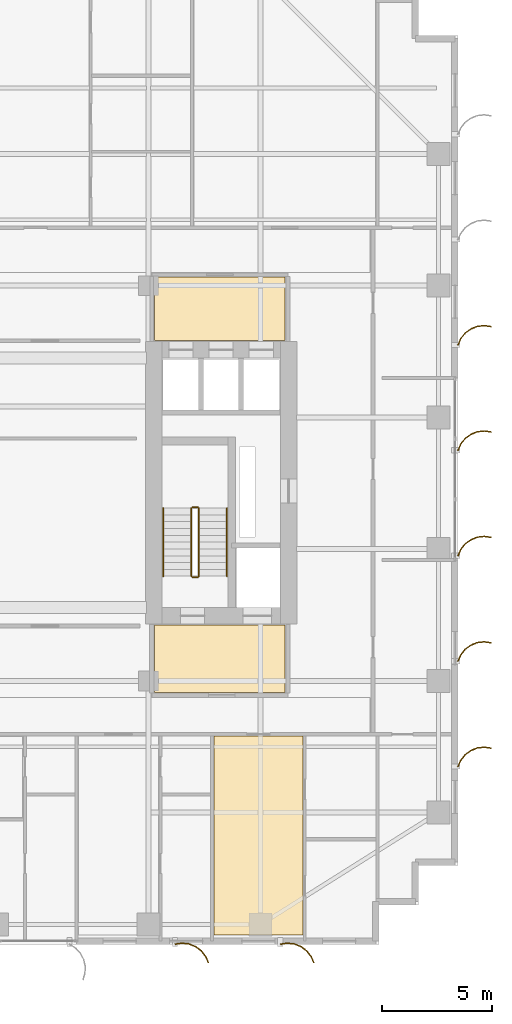
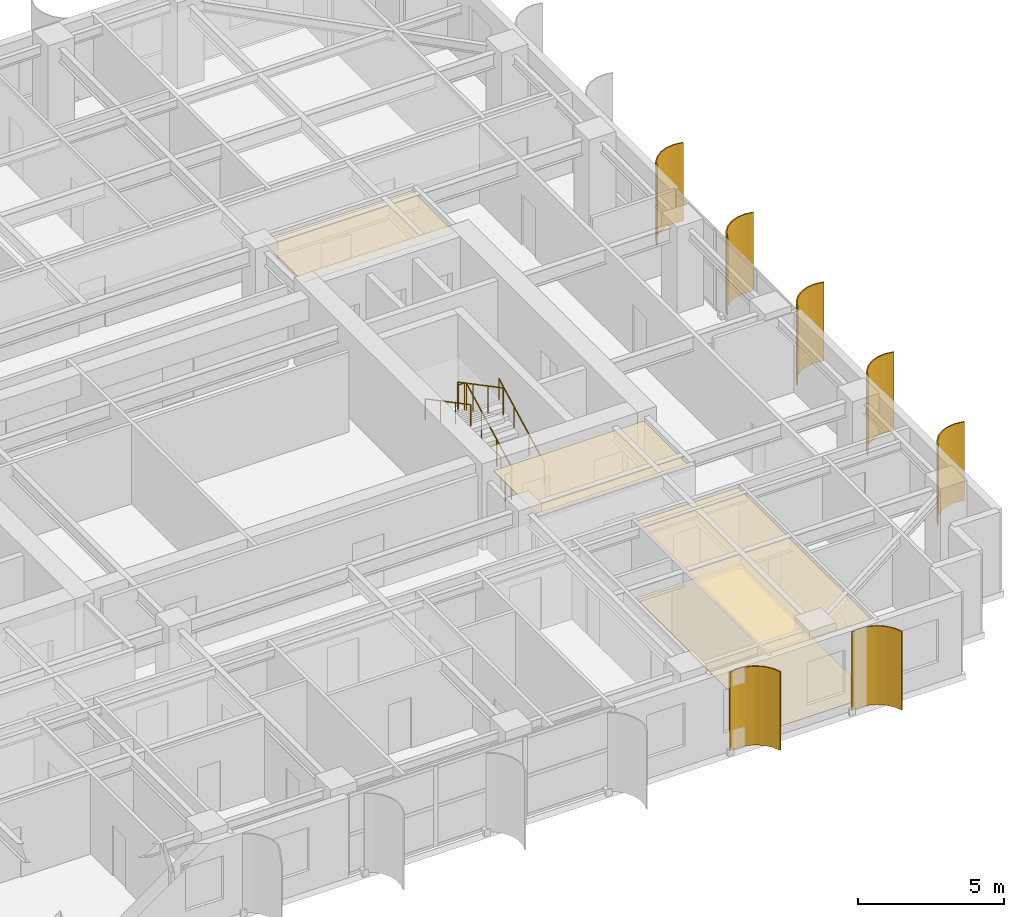
# One storey, part 21 of 22: 7 shading devices, 6 railings, 4 coverings.
"""IFC4 building model written with IfcOpenShell, lengths in metres."""

import ifcopenshell
import ifcopenshell.guid

model = None  # the IFC model being written
_history = None  # IfcOwnerHistory: only IFC2X3 demands one
_inside = {}  # id of a spatial element -> (the spatial element, [elements in it])
_under = {}  # id of a project, library or spatial element -> (it, [spatial elements below it])
_declared = {}  # id of a project -> (the project, [libraries it declares])
_typed = {}  # id of a type object -> (the type object, [elements of that type])
_made_of = {}  # id of a material, layer set ... -> (it, [elements and type objects made of it])


def new_model(schema):
    """Start an empty IFC model of exactly this schema.

    Asked for "IFC4X3", IfcOpenShell would pick the latest addendum, in which some entities
    have other attributes; the version numbers below select the first issue.
    IFC2X3 requires an IfcOwnerHistory on every rooted entity: one is made here for all.
    """
    global model, _history
    if schema == "IFC4X3":
        model = ifcopenshell.file(schema_version=(4, 3, 0, 0))
    else:
        model = ifcopenshell.file(schema=schema)
    _inside.clear()
    _under.clear()
    _declared.clear()
    _typed.clear()
    _made_of.clear()
    _history = None
    if model.schema == "IFC2X3":
        org = make("IfcOrganization", Name="unknown")
        user = make(
            "IfcPersonAndOrganization",
            ThePerson=make("IfcPerson", FamilyName="unknown"),
            TheOrganization=org,
        )
        app = make(
            "IfcApplication",
            ApplicationDeveloper=org,
            Version="unknown",
            ApplicationFullName="unknown",
            ApplicationIdentifier="unknown",
        )
        _history = make(
            "IfcOwnerHistory",
            OwningUser=user,
            OwningApplication=app,
            ChangeAction="ADDED",
            CreationDate=0,
        )
    return model


def make(cls, **values):
    """One entity of the class cls with the attributes given. An attribute that is None is left unset."""
    return model.create_entity(
        cls, **{name: value for name, value in values.items() if value is not None}
    )


def rooted(cls, **values):
    """An entity with a GlobalId (a new one), such as an element, a storey or a relation."""
    return make(cls, GlobalId=ifcopenshell.guid.new(), OwnerHistory=_history, **values)


def si_unit(unit_type, name, prefix=None):
    """IfcSIUnit, for example si_unit("LENGTHUNIT", "METRE", prefix="MILLI")."""
    return make("IfcSIUnit", UnitType=unit_type, Prefix=prefix, Name=name)


def assignment(units):
    """IfcUnitAssignment: the units of a project."""
    return None if units is None else make("IfcUnitAssignment", Units=units)


def point(xyz):
    """IfcCartesianPoint."""
    return None if xyz is None else make("IfcCartesianPoint", Coordinates=xyz)


def direction(xyz):
    """IfcDirection."""
    return None if xyz is None else make("IfcDirection", DirectionRatios=xyz)


def frame(location, z_axis=None, x_axis=None):
    """IfcAxis2Placement3D, a coordinate frame: its origin and axes. An axis left out is left unset."""
    return make(
        "IfcAxis2Placement3D",
        Location=point(location),
        Axis=direction(z_axis),
        RefDirection=direction(x_axis),
    )


def frame_2d(location, x_axis=None):
    """IfcAxis2Placement2D, a coordinate frame in the plane: its origin and x axis."""
    return make(
        "IfcAxis2Placement2D", Location=point(location), RefDirection=direction(x_axis)
    )


def origin():
    """The frame at (0, 0, 0) with its axes left unset."""
    return frame((0.0, 0.0, 0.0))


def origin_2d():
    """The frame at (0, 0) in the plane with its x axis left unset."""
    return frame_2d((0.0, 0.0))


def place(relative_to, where):
    """IfcLocalPlacement: puts the frame where relative to a parent placement (None: the world)."""
    return make(
        "IfcLocalPlacement", PlacementRelTo=relative_to, RelativePlacement=where
    )


def context(
    kind, dimensions, precision=None, world=None, true_north=None, identifier=None
):
    """IfcGeometricRepresentationContext, for example the 3D "Model" context."""
    return make(
        "IfcGeometricRepresentationContext",
        ContextIdentifier=identifier,
        ContextType=kind,
        CoordinateSpaceDimension=dimensions,
        Precision=precision,
        WorldCoordinateSystem=world,
        TrueNorth=true_north,
    )


def subcontext(parent, identifier, kind, view, scale=None):
    """IfcGeometricRepresentationSubContext, for example "Body" below "Model"."""
    return make(
        "IfcGeometricRepresentationSubContext",
        ContextIdentifier=identifier,
        ContextType=kind,
        ParentContext=parent,
        TargetScale=scale,
        TargetView=view,
    )


def project(units=None, contexts=None):
    """IfcProject with its units and contexts."""
    return rooted(
        "IfcProject",
        Name="project",
        RepresentationContexts=contexts,
        UnitsInContext=assignment(units),
    )


def spatial(cls, under=None, at=None, **own):
    """A site, building, storey or space (cls), placed at a placement, below another one or the project."""
    s = rooted(cls, ObjectPlacement=at, **own)
    if under is not None:
        _under.setdefault(under.id(), (under, []))[1].append(s)
    return s


def polyline(points):
    """IfcPolyline through the points."""
    return make("IfcPolyline", Points=[point(p) for p in points])


def profile(cls, at=None, kind="AREA", **sizes):
    """A parametric profile (cls). Its sizes go by their IFC names, for example OverallWidth=200.0."""
    return make(cls, ProfileType=kind, Position=at, **sizes)


def circle(**sizes):
    """IfcCircleProfileDef."""
    return profile("IfcCircleProfileDef", **sizes)


def outline(outer, holes=None, kind="AREA"):
    """IfcArbitraryClosedProfileDef: a profile drawn as a closed curve; with holes, ...WithVoids."""
    if holes is None:
        return make("IfcArbitraryClosedProfileDef", ProfileType=kind, OuterCurve=outer)
    return make(
        "IfcArbitraryProfileDefWithVoids",
        ProfileType=kind,
        OuterCurve=outer,
        InnerCurves=holes,
    )


def extrude(swept, where, along, depth):
    """IfcExtrudedAreaSolid: the profile swept, set in the frame where, extruded along a direction by depth."""
    return make(
        "IfcExtrudedAreaSolid",
        SweptArea=swept,
        Position=where,
        ExtrudedDirection=direction(along),
        Depth=depth,
    )


def shape(context_of_items, identifier, shape_type, items):
    """IfcShapeRepresentation: the items that make up one representation, for example the "Body"."""
    return make(
        "IfcShapeRepresentation",
        ContextOfItems=context_of_items,
        RepresentationIdentifier=identifier,
        RepresentationType=shape_type,
        Items=items,
    )


def source(mapping_origin, context_of_items, identifier, shape_type, items):
    """IfcRepresentationMap: a shape defined once, which mapped items show again and again."""
    return make(
        "IfcRepresentationMap",
        MappingOrigin=mapping_origin,
        MappedRepresentation=shape(context_of_items, identifier, shape_type, items),
    )


def transform(
    local_origin,
    x_axis=None,
    y_axis=None,
    z_axis=None,
    scale=None,
    scale2=None,
    scale3=None,
    uniform=True,
):
    """IfcCartesianTransformationOperator3D, or its non-uniform kind. x_axis, y_axis, z_axis: its Axis1, 2, 3."""
    if uniform:
        return make(
            "IfcCartesianTransformationOperator3D",
            Axis1=direction(x_axis),
            Axis2=direction(y_axis),
            LocalOrigin=point(local_origin),
            Scale=scale,
            Axis3=direction(z_axis),
        )
    return make(
        "IfcCartesianTransformationOperator3DnonUniform",
        Axis1=direction(x_axis),
        Axis2=direction(y_axis),
        LocalOrigin=point(local_origin),
        Scale=scale,
        Axis3=direction(z_axis),
        Scale2=scale2,
        Scale3=scale3,
    )


def mapped(mapping_source, mapping_target):
    """IfcMappedItem: shows the shape of a source again, moved by a transform."""
    return make(
        "IfcMappedItem", MappingSource=mapping_source, MappingTarget=mapping_target
    )


def material(Name=None, Category=None):
    """IfcMaterial."""
    return make("IfcMaterial", Name=Name, Category=Category)


def layer(
    of_material, thickness, ventilated=None, Name=None, Category=None, Priority=None
):
    """IfcMaterialLayer: one layer of a wall or slab, of a material (None: an air gap)."""
    return make(
        "IfcMaterialLayer",
        Material=of_material,
        LayerThickness=thickness,
        IsVentilated=ventilated,
        Name=Name,
        Category=Category,
        Priority=Priority,
    )


def layer_set(layers, Name=None):
    """IfcMaterialLayerSet."""
    return make("IfcMaterialLayerSet", MaterialLayers=layers, LayerSetName=Name)


def made_of(thing, what):
    """Note that an element or type object is made of a material, layer set ...; save() writes the relation."""
    if what is not None:
        _made_of.setdefault(what.id(), (what, []))[1].append(thing)
    return thing


def type_object(cls, material=None, **own):
    """A type object (cls), such as IfcWallType, which elements share."""
    return made_of(rooted(cls, **own), material)


def element(
    cls,
    number,
    at=None,
    inside=None,
    cuts=None,
    type_object=None,
    material=None,
    context=None,
    identifier="Body",
    shape_type=None,
    held_by="IfcProductDefinitionShape",
    body=None,
    shapes=None,
    **own,
):
    """One element of the class cls, such as IfcWall. Its Tag is "e" and its number.

    at: its placement. inside: the storey or other place that contains it. cuts: it is an
    opening in that element (IfcRelVoidsElement). A single representation is given by context,
    identifier, shape_type and body (its items); several are given by shapes. held_by: the class
    of the entity that holds the representations. save() writes the other relations.
    """
    e = rooted(cls, Tag="e%d" % number, ObjectPlacement=at, **own)
    if body is not None:
        shapes = [shape(context, identifier, shape_type, body)]
    if shapes is not None:
        e.Representation = make(held_by, Representations=shapes)
    if inside is not None:
        _inside.setdefault(inside.id(), (inside, []))[1].append(e)
    if cuts is not None:
        rooted(
            "IfcRelVoidsElement", RelatingBuildingElement=cuts, RelatedOpeningElement=e
        )
    if type_object is not None:
        _typed.setdefault(type_object.id(), (type_object, []))[1].append(e)
    return made_of(e, material)


def aggregate(whole, parts):
    """IfcRelAggregates: a whole, such as a stair, and the parts it consists of."""
    return rooted("IfcRelAggregates", RelatingObject=whole, RelatedObjects=parts)


def save(model, path):
    """Write the relations noted so far, then the file.

    IfcRelAggregates (storeys below a building ...), IfcRelContainedInSpatialStructure (elements
    in a storey), IfcRelDefinesByType, IfcRelAssociatesMaterial and IfcRelDeclares: one each for
    every whole, place, type object, material and project.
    """
    for whole, parts in _under.values():
        aggregate(whole, parts)
    for where, things in _inside.values():
        rooted(
            "IfcRelContainedInSpatialStructure",
            RelatedElements=things,
            RelatingStructure=where,
        )
    for kind, things in _typed.values():
        rooted("IfcRelDefinesByType", RelatedObjects=things, RelatingType=kind)
    for what, things in _made_of.values():
        rooted("IfcRelAssociatesMaterial", RelatedObjects=things, RelatingMaterial=what)
    for by, libraries in _declared.values():
        rooted("IfcRelDeclares", RelatingContext=by, RelatedDefinitions=libraries)
    model.write(path)


model = new_model("IFC4")

# Units and contexts
model_context = context("Model", 3, precision=1e-05, world=origin(), true_north=direction((0.0, 1.0)))
body_context = subcontext(model_context, "Body", "Model", "MODEL_VIEW")
ifc_project = project(units=[si_unit("LENGTHUNIT", "METRE"), si_unit("AREAUNIT", "SQUARE_METRE"), si_unit("VOLUMEUNIT", "CUBIC_METRE"), si_unit("PLANEANGLEUNIT", "RADIAN"), si_unit("MASSUNIT", "GRAM", prefix="KILO")], contexts=[model_context])

# Site, building, storey
site_placement = place(None, origin())
site = spatial("IfcSite", under=ifc_project, at=site_placement, CompositionType="ELEMENT")
building_placement = place(site_placement, origin())
building = spatial("IfcBuilding", under=site, at=building_placement, Name="Khoralis Quay Care Tower", CompositionType="ELEMENT")
storey_placement = place(building_placement, frame((0.0, 0.0, 101.699951171875)))
storey = spatial("IfcBuildingStorey", under=building, at=storey_placement, Name="L26", CompositionType="ELEMENT", Elevation=101.699951171875)

# Coverings
ifc_material_1 = material(Name="Mineral-fibre acoustic ceiling tile")
ifc_layer_1 = layer(ifc_material_1, 0.01806640625)
ifc_layer_set_1 = layer_set([ifc_layer_1], Name="Mineral-fibre acoustic ceiling tile")
covering_type_1 = type_object("IfcCoveringType", Name="COV-CEIL-AC18", PredefinedType="CEILING", material=ifc_layer_set_1)
covering_1_placement = place(storey_placement, frame((0.0, 0.0, 3.192138671875)))
element("IfcCovering", 1, at=covering_1_placement, inside=storey, type_object=covering_type_1, Name="Suspended Acoustic Ceiling SP-L26-FFLOB-E", PredefinedType="CEILING", context=body_context, shape_type="SweptSolid", body=[
    extrude(outline(polyline([(31.179931640625, 11.47998046875), (37.1201171875, 11.47998046875), (37.1201171875, 14.550048828125), (31.179931640625, 14.550048828125), (31.179931640625, 11.47998046875)])), origin(), (0.0, 0.0, 1.0), 0.017822265625),
])
covering_2_placement = place(storey_placement, frame((0.0, 0.0, 3.192138671875)))
element("IfcCovering", 2, at=covering_2_placement, inside=storey, type_object=covering_type_1, Name="Suspended Acoustic Ceiling SP-L26-LLOB-E", PredefinedType="CEILING", context=body_context, shape_type="SweptSolid", body=[
    extrude(outline(polyline([(31.179931640625, 27.5), (37.1201171875, 27.5), (37.1201171875, 30.389892578125), (31.179931640625, 30.389892578125), (31.179931640625, 27.5)])), origin(), (0.0, 0.0, 1.0), 0.017822265625),
])
covering_3_placement = place(storey_placement, frame((0.0, 0.0, 3.192138671875)))
element("IfcCovering", 3, at=covering_3_placement, inside=storey, type_object=covering_type_1, Name="Suspended Acoustic Ceiling SP-L26-SB-STU4", PredefinedType="CEILING", context=body_context, shape_type="SweptSolid", body=[
    extrude(outline(polyline([(33.8701171875, 0.419921875), (37.927001953125, 0.419921875), (37.927001953125, 9.5), (33.8701171875, 9.5), (33.8701171875, 0.419921875)])), origin(), (0.0, 0.0, 1.0), 0.017822265625),
])
ifc_material_2 = material(Name="Porcelain and non-slip vinyl flooring")
ifc_layer_2 = layer(ifc_material_2, 0.02001953125)
ifc_layer_set_2 = layer_set([ifc_layer_2], Name="Porcelain and non-slip vinyl flooring")
covering_type_2 = type_object("IfcCoveringType", Name="COV-FLOOR-20", PredefinedType="FLOORING", material=ifc_layer_set_2)
covering_4_placement = place(storey_placement, origin())
element("IfcCovering", 4, at=covering_4_placement, inside=storey, type_object=covering_type_2, Name="Resilient Healthcare Flooring SP-L26-SB-STU4", PredefinedType="FLOORING", context=body_context, shape_type="SweptSolid", body=[
    extrude(outline(polyline([(33.8701171875, 0.419921875), (37.927001953125, 0.419921875), (37.927001953125, 9.5), (33.8701171875, 9.5), (33.8701171875, 0.419921875)])), origin(), (0.0, 0.0, 1.0), 0.02001953125),
])

# Railings
ifc_material_3 = material(Name="Brushed stainless steel", Category="steel")
railing_type_1 = type_object("IfcRailingType", Name="RL-GUARD-1150", PredefinedType="GUARDRAIL", material=ifc_material_3)
railing_1_placement = place(storey_placement, frame((33.18994140625, 16.77001953125, 0.16357421875)))
element("IfcRailing", 5, at=railing_1_placement, inside=storey, type_object=railing_type_1, Name="L26 ST-T2 stair guard 1", PredefinedType="GUARDRAIL", context=body_context, shape_type="SweptSolid", body=[
    extrude(circle(Radius=0.02392578125, at=origin_2d()), frame((0.0, 0.0, 1.1259765625), z_axis=(0.0, 0.884348015382, 0.466828220752), x_axis=(-1.0, 0.0, 0.0)), (0.0, 0.0, 1.0), 3.505615234375),
    extrude(circle(Radius=0.02099609375, at=origin_2d()), origin(), (0.0, 0.0, 1.0), 1.101806640625),
    extrude(circle(Radius=0.02099609375, at=origin_2d()), frame((0.0, 1.033447265625, 0.54541015625)), (0.0, 0.0, 1.0), 1.101806640625),
    extrude(circle(Radius=0.02099609375, at=origin_2d()), frame((0.0, 2.066650390625, 1.091064453125)), (0.0, 0.0, 1.0), 1.101806640625),
    extrude(circle(Radius=0.02099609375, at=origin_2d()), frame((0.0, 3.10009765625, 1.636474609375)), (0.0, 0.0, 1.0), 1.101806640625),
])
railing_2_placement = place(storey_placement, frame((33.139892578125, 19.919921875, 1.800048828125)))
element("IfcRailing", 6, at=railing_2_placement, inside=storey, type_object=railing_type_1, Name="L26 ST-T2 stair guard 2", PredefinedType="GUARDRAIL", context=body_context, shape_type="SweptSolid", body=[
    extrude(circle(Radius=0.02392578125, at=origin_2d()), frame((0.0, 0.0, 1.1259765625), z_axis=(-1.0, 0.0, 0.0), x_axis=(0.0, -1.0, 0.0)), (0.0, 0.0, 1.0), 0.239990234375),
    extrude(circle(Radius=0.02099609375, at=origin_2d()), origin(), (0.0, 0.0, 1.0), 1.101806640625),
    extrude(circle(Radius=0.02099609375, at=origin_2d()), frame((-0.239990234375, 0.0, 0.0)), (0.0, 0.0, 1.0), 1.101806640625),
])
railing_3_placement = place(storey_placement, frame((32.85009765625, 19.8701171875, 1.963623046875)))
element("IfcRailing", 7, at=railing_3_placement, inside=storey, type_object=railing_type_1, Name="L26 ST-T2 stair guard 3", PredefinedType="GUARDRAIL", context=body_context, shape_type="SweptSolid", body=[
    extrude(circle(Radius=0.02392578125, at=origin_2d()), frame((0.0, 0.0, 1.1259765625), z_axis=(0.0, -0.884348015382, 0.466828220752), x_axis=(1.0, 0.0, 0.0)), (0.0, 0.0, 1.0), 3.505615234375),
    extrude(circle(Radius=0.02099609375, at=origin_2d()), origin(), (0.0, 0.0, 1.0), 1.101806640625),
    extrude(circle(Radius=0.02099609375, at=origin_2d()), frame((0.0, -1.033447265625, 0.54541015625)), (0.0, 0.0, 1.0), 1.101806640625),
    extrude(circle(Radius=0.02099609375, at=origin_2d()), frame((0.0, -2.066650390625, 1.091064453125)), (0.0, 0.0, 1.0), 1.101806640625),
    extrude(circle(Radius=0.02099609375, at=origin_2d()), frame((0.0, -3.10009765625, 1.636474609375)), (0.0, 0.0, 1.0), 1.101806640625),
])
railing_4_placement = place(storey_placement, frame((33.139892578125, 16.719970703125, 0.0)))
element("IfcRailing", 8, at=railing_4_placement, inside=storey, type_object=railing_type_1, Name="L26 ST-T2 stair guard 4", PredefinedType="GUARDRAIL", context=body_context, shape_type="SweptSolid", body=[
    extrude(circle(Radius=0.02392578125, at=origin_2d()), frame((0.0, 0.0, 1.1259765625), z_axis=(-1.0, 0.0, 0.0), x_axis=(0.0, -1.0, 0.0)), (0.0, 0.0, 1.0), 0.239990234375),
    extrude(circle(Radius=0.02099609375, at=origin_2d()), origin(), (0.0, 0.0, 1.0), 1.101806640625),
    extrude(circle(Radius=0.02099609375, at=origin_2d()), frame((-0.239990234375, 0.0, 0.0)), (0.0, 0.0, 1.0), 1.101806640625),
])
railing_type_2 = type_object("IfcRailingType", Name="RL-HAND-900", PredefinedType="HANDRAIL", material=ifc_material_3)
railing_5_placement = place(storey_placement, frame((34.469970703125, 16.77001953125, 0.16357421875)))
element("IfcRailing", 9, at=railing_5_placement, inside=storey, type_object=railing_type_2, Name="L26 ST-T2 stair handrail 1", PredefinedType="HANDRAIL", context=body_context, shape_type="SweptSolid", body=[
    extrude(circle(Radius=0.02392578125, at=origin_2d()), frame((0.0, 0.0, 0.8759765625), z_axis=(0.0, 0.884348015382, 0.466828220752), x_axis=(-1.0, 0.0, 0.0)), (0.0, 0.0, 1.0), 3.505615234375),
    extrude(circle(Radius=0.02099609375, at=origin_2d()), origin(), (0.0, 0.0, 1.0), 0.851806640625),
    extrude(circle(Radius=0.02099609375, at=origin_2d()), frame((0.0, 1.033447265625, 0.54541015625)), (0.0, 0.0, 1.0), 0.851806640625),
    extrude(circle(Radius=0.02099609375, at=origin_2d()), frame((0.0, 2.066650390625, 1.091064453125)), (0.0, 0.0, 1.0), 0.851806640625),
    extrude(circle(Radius=0.02099609375, at=origin_2d()), frame((0.0, 3.10009765625, 1.636474609375)), (0.0, 0.0, 1.0), 0.851806640625),
])
railing_6_placement = place(storey_placement, frame((31.570068359375, 19.8701171875, 1.963623046875)))
element("IfcRailing", 10, at=railing_6_placement, inside=storey, type_object=railing_type_2, Name="L26 ST-T2 stair handrail 2", PredefinedType="HANDRAIL", context=body_context, shape_type="SweptSolid", body=[
    extrude(circle(Radius=0.02392578125, at=origin_2d()), frame((0.0, 0.0, 0.8759765625), z_axis=(0.0, -0.884348015382, 0.466828220752), x_axis=(1.0, 0.0, 0.0)), (0.0, 0.0, 1.0), 3.505615234375),
    extrude(circle(Radius=0.02099609375, at=origin_2d()), origin(), (0.0, 0.0, 1.0), 0.851806640625),
    extrude(circle(Radius=0.02099609375, at=origin_2d()), frame((0.0, -1.033447265625, 0.54541015625)), (0.0, 0.0, 1.0), 0.851806640625),
    extrude(circle(Radius=0.02099609375, at=origin_2d()), frame((0.0, -2.066650390625, 1.091064453125)), (0.0, 0.0, 1.0), 0.851806640625),
    extrude(circle(Radius=0.02099609375, at=origin_2d()), frame((0.0, -3.10009765625, 1.636474609375)), (0.0, 0.0, 1.0), 0.851806640625),
])

# Shading devices
ifc_material_4 = material(Name="Brushed pale anodised aluminium", Category="aluminium")
ifc_layer_3 = layer(ifc_material_4, 0.044921875)
ifc_layer_set_3 = layer_set([ifc_layer_3], Name="Brushed pale anodised aluminium")
shading_device_type = type_object("IfcShadingDeviceType", Name="SHD-FIN-1250", PredefinedType="USERDEFINED", material=ifc_layer_set_3)
shared_shape_1 = source(origin(), body_context, "Body", "SweptSolid", [
    extrude(outline(polyline([(0.0, 0.0), (-0.04833984375, 0.32275390625), (-0.01123046875, 0.64697265625), (0.1083984375, 0.950439453125), (0.302490234375, 1.212890625), (0.557861328125, 1.416015625), (0.85693359375, 1.546142578125), (0.869384765625, 1.5029296875), (0.5810546875, 1.37744140625), (0.334716796875, 1.181640625), (0.147705078125, 0.9287109375), (0.032470703125, 0.635986328125), (-0.003173828125, 0.323486328125), (0.043212890625, 0.012451171875), (0.0, 0.0)])), origin(), (0.0, 0.0, 1.0), 3.280029296875),
])
for number, where, z_axis, x_axis, name in (
    (11, (32.10009765625, 0.030029296875, 0.02001953125), (0.0, 0.0, 1.0), (0.0, -1.0, 0.0), "L26 Curved Solar Fin P1E0-06"),
    (12, (36.89990234375, 0.030029296875, 0.02001953125), (0.0, 0.0, 1.0), (0.0, -1.0, 0.0), "L26 Curved Solar Fin P1E0-07"),
):
    element("IfcShadingDevice", number, at=place(storey_placement, frame(where, z_axis=z_axis, x_axis=x_axis)), inside=storey, type_object=shading_device_type, Name=name, ObjectType="FIN", PredefinedType="USERDEFINED", context=body_context, shape_type="MappedRepresentation", body=[
        mapped(shared_shape_1, transform((0.0, 0.0, 0.0), scale=1.0)),
    ])
shared_shape_2 = source(origin(), body_context, "Body", "SweptSolid", [
    extrude(outline(polyline([(0.0, 0.0), (0.130126953125, 0.29931640625), (0.333251953125, 0.5546875), (0.595458984375, 0.748779296875), (0.899169921875, 0.868408203125), (1.223388671875, 0.9052734375), (1.546142578125, 0.85693359375), (1.53369140625, 0.813720703125), (1.22265625, 0.8603515625), (0.91015625, 0.82470703125), (0.617431640625, 0.70947265625), (0.364501953125, 0.522216796875), (0.168701171875, 0.276123046875), (0.043212890625, -0.012451171875), (0.0, 0.0)])), origin(), (0.0, 0.0, 1.0), 3.280029296875),
])
for number, where, z_axis, x_axis, name in (
    (13, (44.969970703125, 8.10009765625, 0.02001953125), (0.0, 0.0, 1.0), (1.0, 0.0, 0.0), "L26 Curved Solar Fin P1E5-01"),
    (14, (44.969970703125, 12.89990234375, 0.02001953125), (0.0, 0.0, 1.0), (1.0, 0.0, 0.0), "L26 Curved Solar Fin P1E5-02"),
    (15, (44.969970703125, 17.699951171875, 0.02001953125), (0.0, 0.0, 1.0), (1.0, 0.0, 0.0), "L26 Curved Solar Fin P1E5-03"),
    (16, (44.969970703125, 22.5, 0.02001953125), (0.0, 0.0, 1.0), (1.0, 0.0, 0.0), "L26 Curved Solar Fin P1E5-04"),
    (17, (44.969970703125, 27.300048828125, 0.02001953125), (0.0, 0.0, 1.0), (1.0, 0.0, 0.0), "L26 Curved Solar Fin P1E5-05"),
):
    element("IfcShadingDevice", number, at=place(storey_placement, frame(where, z_axis=z_axis, x_axis=x_axis)), inside=storey, type_object=shading_device_type, Name=name, ObjectType="FIN", PredefinedType="USERDEFINED", context=body_context, shape_type="MappedRepresentation", body=[
        mapped(shared_shape_2, transform((0.0, 0.0, 0.0), scale=1.0)),
    ])

save(model, "model.ifc")
